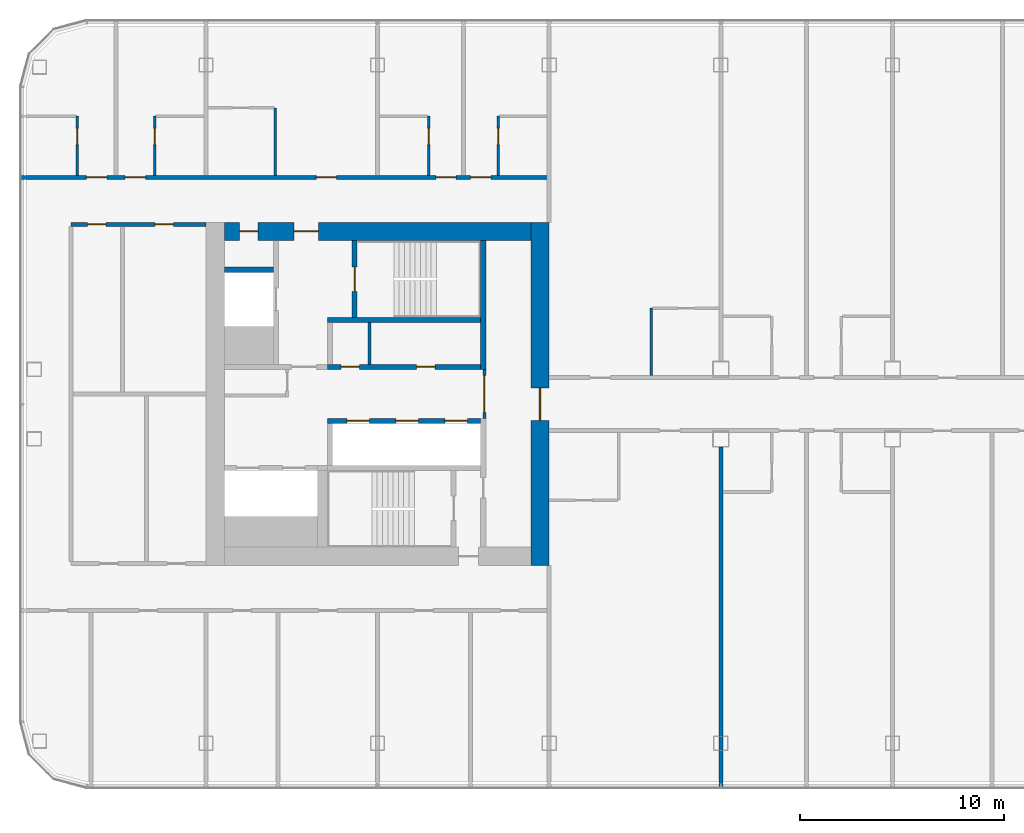
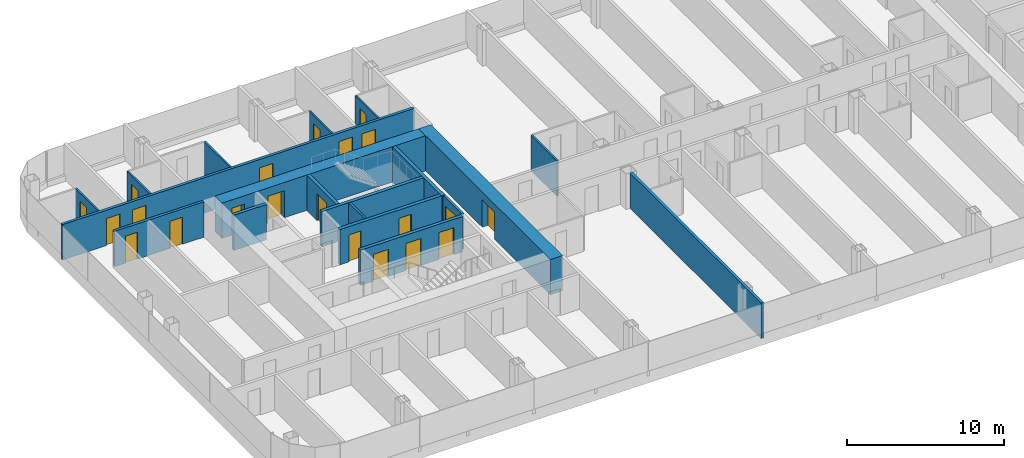
# One storey, part 13 of 26: 21 doors, 19 walls, 21 openings.
"""IFC4 building model written with IfcOpenShell, lengths in metres."""

from ifc_helpers import new_model, si_unit, direction, frame, frame_2d, origin, place, context, subcontext, project, spatial, rectangle, extrude, material, layer, layer_set, type_object, element, fill, save


model = new_model("IFC4")

# Units and contexts
model_context = context("Model", 3, precision=1e-05, world=origin(), true_north=direction((0.0, 1.0)))
body_context = subcontext(model_context, "Body", "Model", "MODEL_VIEW")
ifc_project = project(units=[si_unit("LENGTHUNIT", "METRE"), si_unit("AREAUNIT", "SQUARE_METRE"), si_unit("VOLUMEUNIT", "CUBIC_METRE"), si_unit("PLANEANGLEUNIT", "RADIAN"), si_unit("MASSUNIT", "GRAM", prefix="KILO")], contexts=[model_context])

# Site, building, storey
site_placement = place(None, origin())
site = spatial("IfcSite", under=ifc_project, at=site_placement, CompositionType="ELEMENT")
building_placement = place(site_placement, origin())
building = spatial("IfcBuilding", under=site, at=building_placement, Name="Hakoniwa Tower and Hamabe Station Hall", CompositionType="ELEMENT")
storey_placement = place(building_placement, frame((0.0, 0.0, 169.39990234375)))
storey = spatial("IfcBuildingStorey", under=building, at=storey_placement, Name="L48", CompositionType="ELEMENT", Elevation=169.39990234375)

# Wall, opening, door
ifc_material_1 = material(Name="Gypsum board partition", Category="gypsum")
ifc_layer_1 = layer(ifc_material_1, 0.125)
ifc_layer_set_1 = layer_set([ifc_layer_1], Name="Bathroom Partition 125")
wall_type_1 = type_object("IfcWallType", Name="Bathroom Partition 125", PredefinedType="PARTITIONING", material=ifc_layer_set_1)
wall_1_placement = place(storey_placement, frame((-39.89990234375, 10.699951171875, 0.0), z_axis=(0.0, 0.0, 1.0), x_axis=(0.0, 1.0, 0.0)))
wall_1 = element("IfcWall", 1, at=wall_1_placement, inside=storey, type_object=wall_type_1, Name="GW-L48-037", PredefinedType="PARTITIONING", context=body_context, shape_type="SweptSolid", body=[
    extrude(rectangle(XDim=2.900146484375, YDim=0.125, at=frame_2d((1.4501953125, 0.0))), origin(), (0.0, 0.0, 1.0), 2.75),
])
opening_1_placement = place(wall_1_placement, frame((1.5, 0.0, 0.0)))
opening_1 = element("IfcOpeningElement", 2, at=opening_1_placement, cuts=wall_1, Name="Opening GD-G3C2-49", PredefinedType="OPENING", context=body_context, shape_type="SweptSolid", body=[
    extrude(rectangle(XDim=0.800048828125, YDim=2.10009765625, at=frame_2d((0.39990234375, 1.050048828125))), frame((0.0, 0.072509765625, 0.0), z_axis=(0.0, -1.0, 0.0), x_axis=(1.0, 0.0, 0.0)), (0.0, 0.0, 1.0), 0.14501953125),
])
ifc_material_2 = material(Name="Timber door leaf", Category="wood")
door_type_1 = type_object("IfcDoorType", Name="Bathroom Door 800", OperationType="SINGLE_SWING_LEFT", PredefinedType="DOOR", material=ifc_material_2)
door_1_placement = place(opening_1_placement, origin())
door_1 = element("IfcDoor", 3, at=door_1_placement, inside=storey, type_object=door_type_1, Name="Door GD-G3C2-49", OperationType="SINGLE_SWING_LEFT", OverallHeight=2.10009765625, OverallWidth=0.800048828125, PredefinedType="DOOR", context=body_context, shape_type="SweptSolid", body=[
    extrude(rectangle(XDim=0.800048828125, YDim=2.10009765625, at=frame_2d((0.39990234375, 1.050048828125))), frame((0.0, 0.02490234375, 0.0), z_axis=(0.0, -1.0, 0.0), x_axis=(1.0, 0.0, 0.0)), (0.0, 0.0, 1.0), 0.050048828125),
])
fill(opening_1, door_1)

wall_2_placement = place(storey_placement, frame((-36.10009765625, 10.699951171875, 0.0), z_axis=(0.0, 0.0, 1.0), x_axis=(0.0, 1.0, 0.0)))
wall_2 = element("IfcWall", 4, at=wall_2_placement, inside=storey, type_object=wall_type_1, Name="GW-L48-042", PredefinedType="PARTITIONING", context=body_context, shape_type="SweptSolid", body=[
    extrude(rectangle(XDim=2.900146484375, YDim=0.125, at=frame_2d((1.4501953125, 0.0))), origin(), (0.0, 0.0, 1.0), 2.75),
])
opening_2_placement = place(wall_2_placement, frame((1.5, 0.0, 0.0)))
opening_2 = element("IfcOpeningElement", 5, at=opening_2_placement, cuts=wall_2, Name="Opening GD-G3C2-50", PredefinedType="OPENING", context=body_context, shape_type="SweptSolid", body=[
    extrude(rectangle(XDim=0.800048828125, YDim=2.10009765625, at=frame_2d((0.39990234375, 1.050048828125))), frame((0.0, 0.072509765625, 0.0), z_axis=(0.0, -1.0, 0.0), x_axis=(1.0, 0.0, 0.0)), (0.0, 0.0, 1.0), 0.14501953125),
])
door_2_placement = place(opening_2_placement, origin())
door_2 = element("IfcDoor", 6, at=door_2_placement, inside=storey, type_object=door_type_1, Name="Door GD-G3C2-50", OperationType="SINGLE_SWING_RIGHT", OverallHeight=2.10009765625, OverallWidth=0.800048828125, PredefinedType="DOOR", context=body_context, shape_type="SweptSolid", body=[
    extrude(rectangle(XDim=0.800048828125, YDim=2.10009765625, at=frame_2d((0.39990234375, 1.050048828125))), frame((0.0, 0.02490234375, 0.0), z_axis=(0.0, -1.0, 0.0), x_axis=(1.0, 0.0, 0.0)), (0.0, 0.0, 1.0), 0.050048828125),
])
fill(opening_2, door_2)

# Wall
wall_3_placement = place(storey_placement, frame((-30.199951171875, 10.699951171875, 0.0), z_axis=(0.0, 0.0, 1.0), x_axis=(0.0, 1.0, 0.0)))
element("IfcWall", 7, at=wall_3_placement, inside=storey, type_object=wall_type_1, Name="GW-L48-045", PredefinedType="PARTITIONING", context=body_context, shape_type="SweptSolid", body=[
    extrude(rectangle(XDim=3.300048828125, YDim=0.125, at=frame_2d((1.64990234375, 0.0))), origin(), (0.0, 0.0, 1.0), 2.75),
])

# Wall, opening, door
wall_4_placement = place(storey_placement, frame((-22.699951171875, 10.699951171875, 0.0), z_axis=(0.0, 0.0, 1.0), x_axis=(0.0, 1.0, 0.0)))
wall_4 = element("IfcWall", 8, at=wall_4_placement, inside=storey, type_object=wall_type_1, Name="GW-L48-049", PredefinedType="PARTITIONING", context=body_context, shape_type="SweptSolid", body=[
    extrude(rectangle(XDim=2.900146484375, YDim=0.125, at=frame_2d((1.4501953125, 0.0))), origin(), (0.0, 0.0, 1.0), 2.75),
])
opening_3_placement = place(wall_4_placement, frame((1.5, 0.0, 0.0)))
opening_3 = element("IfcOpeningElement", 9, at=opening_3_placement, cuts=wall_4, Name="Opening GD-G3C2-51", PredefinedType="OPENING", context=body_context, shape_type="SweptSolid", body=[
    extrude(rectangle(XDim=0.800048828125, YDim=2.10009765625, at=frame_2d((0.39990234375, 1.050048828125))), frame((0.0, 0.072509765625, 0.0), z_axis=(0.0, -1.0, 0.0), x_axis=(1.0, 0.0, 0.0)), (0.0, 0.0, 1.0), 0.14501953125),
])
door_3_placement = place(opening_3_placement, origin())
door_3 = element("IfcDoor", 10, at=door_3_placement, inside=storey, type_object=door_type_1, Name="Door GD-G3C2-51", OperationType="SINGLE_SWING_LEFT", OverallHeight=2.10009765625, OverallWidth=0.800048828125, PredefinedType="DOOR", context=body_context, shape_type="SweptSolid", body=[
    extrude(rectangle(XDim=0.800048828125, YDim=2.10009765625, at=frame_2d((0.39990234375, 1.050048828125))), frame((0.0, 0.02490234375, 0.0), z_axis=(0.0, -1.0, 0.0), x_axis=(1.0, 0.0, 0.0)), (0.0, 0.0, 1.0), 0.050048828125),
])
fill(opening_3, door_3)

wall_5_placement = place(storey_placement, frame((-19.300048828125, 10.699951171875, 0.0), z_axis=(0.0, 0.0, 1.0), x_axis=(0.0, 1.0, 0.0)))
wall_5 = element("IfcWall", 11, at=wall_5_placement, inside=storey, type_object=wall_type_1, Name="GW-L48-052", PredefinedType="PARTITIONING", context=body_context, shape_type="SweptSolid", body=[
    extrude(rectangle(XDim=2.900146484375, YDim=0.125, at=frame_2d((1.4501953125, 0.0))), origin(), (0.0, 0.0, 1.0), 2.75),
])
opening_4_placement = place(wall_5_placement, frame((1.5, 0.0, 0.0)))
opening_4 = element("IfcOpeningElement", 12, at=opening_4_placement, cuts=wall_5, Name="Opening GD-G3C2-52", PredefinedType="OPENING", context=body_context, shape_type="SweptSolid", body=[
    extrude(rectangle(XDim=0.800048828125, YDim=2.10009765625, at=frame_2d((0.39990234375, 1.050048828125))), frame((0.0, 0.072509765625, 0.0), z_axis=(0.0, -1.0, 0.0), x_axis=(1.0, 0.0, 0.0)), (0.0, 0.0, 1.0), 0.14501953125),
])
door_4_placement = place(opening_4_placement, origin())
door_4 = element("IfcDoor", 13, at=door_4_placement, inside=storey, type_object=door_type_1, Name="Door GD-G3C2-52", OperationType="SINGLE_SWING_RIGHT", OverallHeight=2.10009765625, OverallWidth=0.800048828125, PredefinedType="DOOR", context=body_context, shape_type="SweptSolid", body=[
    extrude(rectangle(XDim=0.800048828125, YDim=2.10009765625, at=frame_2d((0.39990234375, 1.050048828125))), frame((0.0, 0.02490234375, 0.0), z_axis=(0.0, -1.0, 0.0), x_axis=(1.0, 0.0, 0.0)), (0.0, 0.0, 1.0), 0.050048828125),
])
fill(opening_4, door_4)

# Wall
wall_6_placement = place(storey_placement, frame((-11.800048828125, 0.89990234375, 0.0), z_axis=(0.0, 0.0, 1.0), x_axis=(0.0, 1.0, 0.0)))
element("IfcWall", 14, at=wall_6_placement, inside=storey, type_object=wall_type_1, Name="GW-L48-056", PredefinedType="PARTITIONING", context=body_context, shape_type="SweptSolid", body=[
    extrude(rectangle(XDim=3.300048828125, YDim=0.125, at=frame_2d((1.64990234375, 0.0))), origin(), (0.0, 0.0, 1.0), 2.75),
])

# Wall, opening, door
ifc_material_3 = material(Name="Gypsum board partition")
ifc_layer_2 = layer(ifc_material_3, 0.14990234375)
ifc_layer_set_2 = layer_set([ifc_layer_2], Name="CORE PARTITION 150 EI 60")
wall_type_2 = type_object("IfcWallType", Name="CORE PARTITION 150 EI 60", PredefinedType="PARTITIONING", material=ifc_layer_set_2)
wall_7_placement = place(storey_placement, frame((-19.97509765625, -1.199951171875, 0.0), z_axis=(0.0, 0.0, 1.0), x_axis=(0.0, 1.0, 0.0)))
wall_7 = element("IfcWall", 15, at=wall_7_placement, inside=storey, type_object=wall_type_2, Name="Core partition PL0 west", PredefinedType="PARTITIONING", context=body_context, shape_type="SweptSolid", body=[
    extrude(rectangle(XDim=2.39990234375, YDim=0.14990234375, at=frame_2d((1.199951171875, 0.0))), origin(), (0.0, 0.0, 1.0), 2.75),
])
opening_5_placement = place(wall_7_placement, frame((0.300048828125, 0.0, 0.0)))
opening_5 = element("IfcOpeningElement", 16, at=opening_5_placement, cuts=wall_7, Name="Opening CD-W-LP0-18", PredefinedType="OPENING", context=body_context, shape_type="SweptSolid", body=[
    extrude(rectangle(XDim=1.800048828125, YDim=2.10009765625, at=frame_2d((0.89990234375, 1.050048828125))), frame((0.0, 0.0849609375, 0.0), z_axis=(0.0, -1.0, 0.0), x_axis=(1.0, 0.0, 0.0)), (0.0, 0.0, 1.0), 0.169921875),
])
ifc_material_4 = material(Name="Steel fire door", Category="steel")
door_type_2 = type_object("IfcDoorType", Name="CORE DOOR 1800 FD60", OperationType="DOUBLE_DOOR_SINGLE_SWING", PredefinedType="DOOR", material=ifc_material_4)
door_5_placement = place(opening_5_placement, origin())
door_5 = element("IfcDoor", 17, at=door_5_placement, inside=storey, type_object=door_type_2, Name="Lift lobby partition door", OperationType="DOUBLE_DOOR_SINGLE_SWING", OverallHeight=2.10009765625, OverallWidth=1.800048828125, PredefinedType="DOOR", context=body_context, shape_type="SweptSolid", body=[
    extrude(rectangle(XDim=1.800048828125, YDim=2.10009765625, at=frame_2d((0.89990234375, 1.050048828125))), frame((0.0, 0.02490234375, 0.0), z_axis=(0.0, -1.0, 0.0), x_axis=(1.0, 0.0, 0.0)), (0.0, 0.0, 1.0), 0.050048828125),
])
fill(opening_5, door_5)

# Wall
wall_8_placement = place(storey_placement, frame((-25.60009765625, 1.449951171875, 0.0), z_axis=(0.0, 0.0, 1.0), x_axis=(0.0, 1.0, 0.0)))
element("IfcWall", 18, at=wall_8_placement, inside=storey, type_object=wall_type_2, Name="Core partition PFLR0 west", PredefinedType="PARTITIONING", context=body_context, shape_type="SweptSolid", body=[
    extrude(rectangle(XDim=2.050048828125, YDim=0.14990234375, at=frame_2d((1.02490234375, 0.0))), origin(), (0.0, 0.0, 1.0), 2.75),
])

# Wall, opening, door
ifc_material_5 = material(Name="Concrete C66", Category="concrete")
ifc_layer_3 = layer(ifc_material_5, 0.89990234375)
ifc_layer_set_3 = layer_set([ifc_layer_3], Name="CORE WALL 900 C66")
wall_type_3 = type_object("IfcWallType", Name="CORE WALL 900 C66", PredefinedType="SHEAR", material=ifc_layer_set_3)
wall_9_placement = place(storey_placement, frame((-17.25, -8.39990234375, 0.0), z_axis=(0.0, 0.0, 1.0), x_axis=(0.0, 1.0, 0.0)))
wall_9 = element("IfcWall", 19, at=wall_9_placement, inside=storey, type_object=wall_type_3, Name="Core wall INNER west", PredefinedType="SHEAR", context=body_context, shape_type="SweptSolid", body=[
    extrude(rectangle(XDim=16.7998046875, YDim=0.89990234375, at=frame_2d((8.39990234375, 0.0))), origin(), (0.0, 0.0, 1.0), 2.75),
])
opening_6_placement = place(wall_9_placement, frame((7.10009765625, 0.0, 0.0)))
opening_6 = element("IfcOpeningElement", 20, at=opening_6_placement, cuts=wall_9, Name="Opening CD-W-IN1-16", PredefinedType="OPENING", context=body_context, shape_type="SweptSolid", body=[
    extrude(rectangle(XDim=1.60009765625, YDim=2.10009765625, at=frame_2d((0.800048828125, 1.050048828125))), frame((0.0, 0.4599609375, 0.0), z_axis=(0.0, -1.0, 0.0), x_axis=(1.0, 0.0, 0.0)), (0.0, 0.0, 1.0), 0.919921875),
])
ifc_material_6 = material(Name="Steel fire door", Category="steel")
door_type_3 = type_object("IfcDoorType", Name="CORE DOOR 1600 FD60", OperationType="DOUBLE_DOOR_SINGLE_SWING", PredefinedType="DOOR", material=ifc_material_6)
door_6_placement = place(opening_6_placement, origin())
door_6 = element("IfcDoor", 21, at=door_6_placement, inside=storey, type_object=door_type_3, Name="Lift lobby door", OperationType="DOUBLE_DOOR_SINGLE_SWING", OverallHeight=2.10009765625, OverallWidth=1.60009765625, PredefinedType="DOOR", context=body_context, shape_type="SweptSolid", body=[
    extrude(rectangle(XDim=1.60009765625, YDim=2.10009765625, at=frame_2d((0.800048828125, 1.050048828125))), frame((0.0, 0.02490234375, 0.0), z_axis=(0.0, -1.0, 0.0), x_axis=(1.0, 0.0, 0.0)), (0.0, 0.0, 1.0), 0.050048828125),
])
fill(opening_6, door_6)

# Wall, openings, doors
wall_10_placement = place(storey_placement, frame((-32.699951171875, 7.949951171875, 0.0), z_axis=(0.0, 0.0, 1.0), x_axis=(1.0, 0.0, 0.0)))
wall_10 = element("IfcWall", 22, at=wall_10_placement, inside=storey, type_object=wall_type_3, Name="Core wall NORTH west", PredefinedType="SHEAR", context=body_context, shape_type="SweptSolid", body=[
    extrude(rectangle(XDim=15.0, YDim=0.89990234375, at=frame_2d((7.5, 0.0))), origin(), (0.0, 0.0, 1.0), 2.75),
])
opening_7_placement = place(wall_10_placement, frame((3.39990234375, 0.0, 0.0)))
opening_7 = element("IfcOpeningElement", 23, at=opening_7_placement, cuts=wall_10, Name="Opening CD-W-FN1-12", PredefinedType="OPENING", context=body_context, shape_type="SweptSolid", body=[
    extrude(rectangle(XDim=1.199951171875, YDim=2.10009765625, at=frame_2d((0.60009765625, 1.050048828125))), frame((0.0, 0.4599609375, 0.0), z_axis=(0.0, -1.0, 0.0), x_axis=(1.0, 0.0, 0.0)), (0.0, 0.0, 1.0), 0.919921875),
])
opening_8_placement = place(wall_10_placement, frame((0.75, 0.0, 0.0)))
opening_8 = element("IfcOpeningElement", 24, at=opening_8_placement, cuts=wall_10, Name="Opening CD-W-FN2-9", PredefinedType="OPENING", context=body_context, shape_type="SweptSolid", body=[
    extrude(rectangle(XDim=0.89990234375, YDim=2.10009765625, at=frame_2d((0.449951171875, 1.050048828125))), frame((0.0, 0.4599609375, 0.0), z_axis=(0.0, -1.0, 0.0), x_axis=(1.0, 0.0, 0.0)), (0.0, 0.0, 1.0), 0.919921875),
])
ifc_material_7 = material(Name="Steel fire door", Category="steel")
door_type_4 = type_object("IfcDoorType", Name="CORE DOOR 1200 FD60", OperationType="DOUBLE_DOOR_SINGLE_SWING", PredefinedType="DOOR", material=ifc_material_7)
door_7_placement = place(opening_7_placement, origin())
door_7 = element("IfcDoor", 25, at=door_7_placement, inside=storey, type_object=door_type_4, Name="Stair vestibule door to the fire-fighting lobby", OperationType="DOUBLE_DOOR_SINGLE_SWING", OverallHeight=2.10009765625, OverallWidth=1.199951171875, PredefinedType="DOOR", context=body_context, shape_type="SweptSolid", body=[
    extrude(rectangle(XDim=1.199951171875, YDim=2.10009765625, at=frame_2d((0.60009765625, 1.050048828125))), frame((0.0, 0.02490234375, 0.0), z_axis=(0.0, -1.0, 0.0), x_axis=(1.0, 0.0, 0.0)), (0.0, 0.0, 1.0), 0.050048828125),
])
fill(opening_7, door_7)
ifc_material_8 = material(Name="Steel fire door", Category="steel")
door_type_5 = type_object("IfcDoorType", Name="CORE DOOR 900 FD30", OperationType="NOTDEFINED", PredefinedType="DOOR", material=ifc_material_8)
door_8_placement = place(opening_8_placement, origin())
door_8 = element("IfcDoor", 26, at=door_8_placement, inside=storey, type_object=door_type_5, Name="Riser access door", OperationType="SINGLE_SWING_LEFT", OverallHeight=2.10009765625, OverallWidth=0.89990234375, PredefinedType="DOOR", context=body_context, shape_type="SweptSolid", body=[
    extrude(rectangle(XDim=0.89990234375, YDim=2.10009765625, at=frame_2d((0.449951171875, 1.050048828125))), frame((0.0, 0.02490234375, 0.0), z_axis=(0.0, -1.0, 0.0), x_axis=(1.0, 0.0, 0.0)), (0.0, 0.0, 1.0), 0.050048828125),
])
fill(opening_8, door_8)

# Wall
ifc_material_9 = material(Name="Concrete C66", Category="concrete")
ifc_layer_4 = layer(ifc_material_9, 0.25)
ifc_layer_set_4 = layer_set([ifc_layer_4], Name="CORE WEB WALL 250 C66")
wall_type_4 = type_object("IfcWallType", Name="CORE WEB WALL 250 C66", PredefinedType="SHEAR", material=ifc_layer_set_4)
wall_11_placement = place(storey_placement, frame((-20.02490234375, 1.199951171875, 0.0), z_axis=(0.0, 0.0, 1.0), x_axis=(0.0, 1.0, 0.0)))
element("IfcWall", 27, at=wall_11_placement, inside=storey, type_object=wall_type_4, Name="Core wall W1N west", PredefinedType="SHEAR", context=body_context, shape_type="SweptSolid", body=[
    extrude(rectangle(XDim=6.300048828125, YDim=0.25, at=frame_2d((3.14990234375, 0.0))), origin(), (0.0, 0.0, 1.0), 2.75),
])

# Wall, openings, doors
wall_12_placement = place(storey_placement, frame((-27.64990234375, 1.324951171875, 0.0), z_axis=(0.0, 0.0, 1.0), x_axis=(1.0, 0.0, 0.0)))
wall_12 = element("IfcWall", 28, at=wall_12_placement, inside=storey, type_object=wall_type_4, Name="Core wall NF west", PredefinedType="SHEAR", context=body_context, shape_type="SweptSolid", body=[
    extrude(rectangle(XDim=7.5, YDim=0.25, at=frame_2d((3.75, 0.0))), origin(), (0.0, 0.0, 1.0), 2.75),
])
opening_9_placement = place(wall_12_placement, frame((4.362548828125, 0.0, 0.0)))
opening_9 = element("IfcOpeningElement", 29, at=opening_9_placement, cuts=wall_12, Name="Opening CD-W-FRLR0-9", PredefinedType="OPENING", context=body_context, shape_type="SweptSolid", body=[
    extrude(rectangle(XDim=0.89990234375, YDim=2.10009765625, at=frame_2d((0.449951171875, 1.050048828125))), frame((0.0, 0.135009765625, 0.0), z_axis=(0.0, -1.0, 0.0), x_axis=(1.0, 0.0, 0.0)), (0.0, 0.0, 1.0), 0.27001953125),
])
opening_10_placement = place(wall_12_placement, frame((0.66259765625, 0.0, 0.0)))
opening_10 = element("IfcOpeningElement", 30, at=opening_10_placement, cuts=wall_12, Name="Opening CD-W-FRLR1-9", PredefinedType="OPENING", context=body_context, shape_type="SweptSolid", body=[
    extrude(rectangle(XDim=0.89990234375, YDim=2.10009765625, at=frame_2d((0.449951171875, 1.050048828125))), frame((0.0, 0.135009765625, 0.0), z_axis=(0.0, -1.0, 0.0), x_axis=(1.0, 0.0, 0.0)), (0.0, 0.0, 1.0), 0.27001953125),
])
door_9_placement = place(opening_9_placement, origin())
door_9 = element("IfcDoor", 31, at=door_9_placement, inside=storey, type_object=door_type_5, Name="Store room door", OperationType="SINGLE_SWING_RIGHT", OverallHeight=2.10009765625, OverallWidth=0.89990234375, PredefinedType="DOOR", context=body_context, shape_type="SweptSolid", body=[
    extrude(rectangle(XDim=0.89990234375, YDim=2.10009765625, at=frame_2d((0.449951171875, 1.050048828125))), frame((0.0, 0.02490234375, 0.0), z_axis=(0.0, -1.0, 0.0), x_axis=(1.0, 0.0, 0.0)), (0.0, 0.0, 1.0), 0.050048828125),
])
fill(opening_9, door_9)
door_10_placement = place(opening_10_placement, origin())
door_10 = element("IfcDoor", 32, at=door_10_placement, inside=storey, type_object=door_type_5, Name="Store room door", OperationType="SINGLE_SWING_LEFT", OverallHeight=2.10009765625, OverallWidth=0.89990234375, PredefinedType="DOOR", context=body_context, shape_type="SweptSolid", body=[
    extrude(rectangle(XDim=0.89990234375, YDim=2.10009765625, at=frame_2d((0.449951171875, 1.050048828125))), frame((0.0, 0.02490234375, 0.0), z_axis=(0.0, -1.0, 0.0), x_axis=(1.0, 0.0, 0.0)), (0.0, 0.0, 1.0), 0.050048828125),
])
fill(opening_10, door_10)

# Wall
wall_13_placement = place(storey_placement, frame((-27.64990234375, 3.625, 0.0), z_axis=(0.0, 0.0, 1.0), x_axis=(1.0, 0.0, 0.0)))
element("IfcWall", 33, at=wall_13_placement, inside=storey, type_object=wall_type_4, Name="Core wall NR west", PredefinedType="SHEAR", context=body_context, shape_type="SweptSolid", body=[
    extrude(rectangle(XDim=7.5, YDim=0.25, at=frame_2d((3.75, 0.0))), origin(), (0.0, 0.0, 1.0), 2.75),
])

# Wall, opening, door
wall_14_placement = place(storey_placement, frame((-26.324951171875, 3.75, 0.0), z_axis=(0.0, 0.0, 1.0), x_axis=(0.0, 1.0, 0.0)))
wall_14 = element("IfcWall", 34, at=wall_14_placement, inside=storey, type_object=wall_type_4, Name="Core wall NSE west", PredefinedType="SHEAR", context=body_context, shape_type="SweptSolid", body=[
    extrude(rectangle(XDim=3.75, YDim=0.25, at=frame_2d((1.875, 0.0))), origin(), (0.0, 0.0, 1.0), 2.75),
])
opening_11_placement = place(wall_14_placement, frame((1.25, 0.0, 0.0)))
opening_11 = element("IfcOpeningElement", 35, at=opening_11_placement, cuts=wall_14, Name="Opening CD-W-SN-12", PredefinedType="OPENING", context=body_context, shape_type="SweptSolid", body=[
    extrude(rectangle(XDim=1.199951171875, YDim=2.10009765625, at=frame_2d((0.60009765625, 1.050048828125))), frame((0.0, 0.135009765625, 0.0), z_axis=(0.0, -1.0, 0.0), x_axis=(1.0, 0.0, 0.0)), (0.0, 0.0, 1.0), 0.27001953125),
])
door_11_placement = place(opening_11_placement, origin())
door_11 = element("IfcDoor", 36, at=door_11_placement, inside=storey, type_object=door_type_4, Name="Escape stair door", OperationType="DOUBLE_DOOR_SINGLE_SWING", OverallHeight=2.10009765625, OverallWidth=1.199951171875, PredefinedType="DOOR", context=body_context, shape_type="SweptSolid", body=[
    extrude(rectangle(XDim=1.199951171875, YDim=2.10009765625, at=frame_2d((0.60009765625, 1.050048828125))), frame((0.0, 0.02490234375, 0.0), z_axis=(0.0, -1.0, 0.0), x_axis=(1.0, 0.0, 0.0)), (0.0, 0.0, 1.0), 0.050048828125),
])
fill(opening_11, door_11)

# Wall
wall_15_placement = place(storey_placement, frame((-32.699951171875, 6.074951171875, 0.0), z_axis=(0.0, 0.0, 1.0), x_axis=(1.0, 0.0, 0.0)))
element("IfcWall", 37, at=wall_15_placement, inside=storey, type_object=wall_type_4, Name="Core wall C2 west", PredefinedType="SHEAR", context=body_context, shape_type="SweptSolid", body=[
    extrude(rectangle(XDim=2.39990234375, YDim=0.25, at=frame_2d((1.199951171875, 0.0))), origin(), (0.0, 0.0, 1.0), 2.75),
])

# Wall, openings, doors
wall_16_placement = place(storey_placement, frame((-27.64990234375, -1.324951171875, 0.0), z_axis=(0.0, 0.0, 1.0), x_axis=(1.0, 0.0, 0.0)))
wall_16 = element("IfcWall", 38, at=wall_16_placement, inside=storey, type_object=wall_type_4, Name="Core wall SF west", PredefinedType="SHEAR", context=body_context, shape_type="SweptSolid", body=[
    extrude(rectangle(XDim=7.5, YDim=0.25, at=frame_2d((3.75, 0.0))), origin(), (0.0, 0.0, 1.0), 2.75),
])
opening_12_placement = place(wall_16_placement, frame((5.75, 0.0, 0.0)))
opening_12 = element("IfcOpeningElement", 39, at=opening_12_placement, cuts=wall_16, Name="Opening LD-HR1", PredefinedType="OPENING", context=body_context, shape_type="SweptSolid", body=[
    extrude(rectangle(XDim=1.10009765625, YDim=2.10009765625, at=frame_2d((0.550048828125, 1.050048828125))), frame((0.0, 0.135009765625, 0.0), z_axis=(0.0, -1.0, 0.0), x_axis=(1.0, 0.0, 0.0)), (0.0, 0.0, 1.0), 0.27001953125),
])
opening_13_placement = place(wall_16_placement, frame((3.35009765625, 0.0, 0.0)))
opening_13 = element("IfcOpeningElement", 40, at=opening_13_placement, cuts=wall_16, Name="Opening LD-HR2", PredefinedType="OPENING", context=body_context, shape_type="SweptSolid", body=[
    extrude(rectangle(XDim=1.10009765625, YDim=2.10009765625, at=frame_2d((0.550048828125, 1.050048828125))), frame((0.0, 0.135009765625, 0.0), z_axis=(0.0, -1.0, 0.0), x_axis=(1.0, 0.0, 0.0)), (0.0, 0.0, 1.0), 0.27001953125),
])
opening_14_placement = place(wall_16_placement, frame((0.949951171875, 0.0, 0.0)))
opening_14 = element("IfcOpeningElement", 41, at=opening_14_placement, cuts=wall_16, Name="Opening LD-HR3", PredefinedType="OPENING", context=body_context, shape_type="SweptSolid", body=[
    extrude(rectangle(XDim=1.10009765625, YDim=2.10009765625, at=frame_2d((0.550048828125, 1.050048828125))), frame((0.0, 0.135009765625, 0.0), z_axis=(0.0, -1.0, 0.0), x_axis=(1.0, 0.0, 0.0)), (0.0, 0.0, 1.0), 0.27001953125),
])
ifc_material_10 = material(Name="Stainless steel SUS304", Category="steel")
door_type_6 = type_object("IfcDoorType", Name="LIFT LANDING DOOR 1100 FD60", OperationType="DOUBLE_DOOR_SLIDING", PredefinedType="DOOR", material=ifc_material_10)
door_12_placement = place(opening_12_placement, origin())
door_12 = element("IfcDoor", 42, at=door_12_placement, inside=storey, type_object=door_type_6, Name="Lift landing door HR1 L48", OperationType="DOUBLE_DOOR_SLIDING", OverallHeight=2.10009765625, OverallWidth=1.10009765625, PredefinedType="DOOR", context=body_context, shape_type="SweptSolid", body=[
    extrude(rectangle(XDim=1.10009765625, YDim=2.10009765625, at=frame_2d((0.550048828125, 1.050048828125))), frame((0.0, 0.02490234375, 0.0), z_axis=(0.0, -1.0, 0.0), x_axis=(1.0, 0.0, 0.0)), (0.0, 0.0, 1.0), 0.050048828125),
])
fill(opening_12, door_12)
door_13_placement = place(opening_13_placement, origin())
door_13 = element("IfcDoor", 43, at=door_13_placement, inside=storey, type_object=door_type_6, Name="Lift landing door HR2 L48", OperationType="DOUBLE_DOOR_SLIDING", OverallHeight=2.10009765625, OverallWidth=1.10009765625, PredefinedType="DOOR", context=body_context, shape_type="SweptSolid", body=[
    extrude(rectangle(XDim=1.10009765625, YDim=2.10009765625, at=frame_2d((0.550048828125, 1.050048828125))), frame((0.0, 0.02490234375, 0.0), z_axis=(0.0, -1.0, 0.0), x_axis=(1.0, 0.0, 0.0)), (0.0, 0.0, 1.0), 0.050048828125),
])
fill(opening_13, door_13)
door_14_placement = place(opening_14_placement, origin())
door_14 = element("IfcDoor", 44, at=door_14_placement, inside=storey, type_object=door_type_6, Name="Lift landing door HR3 L48", OperationType="DOUBLE_DOOR_SLIDING", OverallHeight=2.10009765625, OverallWidth=1.10009765625, PredefinedType="DOOR", context=body_context, shape_type="SweptSolid", body=[
    extrude(rectangle(XDim=1.10009765625, YDim=2.10009765625, at=frame_2d((0.550048828125, 1.050048828125))), frame((0.0, 0.02490234375, 0.0), z_axis=(0.0, -1.0, 0.0), x_axis=(1.0, 0.0, 0.0)), (0.0, 0.0, 1.0), 0.050048828125),
])
fill(opening_14, door_14)

ifc_material_11 = material(Name="Fire-rated gypsum board partition", Category="gypsum")
ifc_layer_5 = layer(ifc_material_11, 0.199951171875)
ifc_layer_set_5 = layer_set([ifc_layer_5], Name="Corridor Wall 200")
wall_type_5 = type_object("IfcWallType", Name="Corridor Wall 200", PredefinedType="PARTITIONING", material=ifc_layer_set_5)
wall_17_placement = place(storey_placement, frame((-40.199951171875, 8.300048828125, 0.0), z_axis=(0.0, 0.0, 1.0), x_axis=(1.0, 0.0, 0.0)))
wall_17 = element("IfcWall", 45, at=wall_17_placement, inside=storey, type_object=wall_type_5, Name="GW-L48-023", PredefinedType="PARTITIONING", context=body_context, shape_type="SweptSolid", body=[
    extrude(rectangle(XDim=6.599853515625, YDim=0.199951171875, at=frame_2d((3.2998046875, 0.0))), origin(), (0.0, 0.0, 1.0), 2.75),
])
opening_15_placement = place(wall_17_placement, frame((0.804931640625, 0.0, 0.0)))
opening_15 = element("IfcOpeningElement", 46, at=opening_15_placement, cuts=wall_17, Name="Opening GD-G3C2-33", PredefinedType="OPENING", context=body_context, shape_type="SweptSolid", body=[
    extrude(rectangle(XDim=0.89990234375, YDim=2.10009765625, at=frame_2d((0.449951171875, 1.050048828125))), frame((0.0, 0.10986328125, 0.0), z_axis=(0.0, -1.0, 0.0), x_axis=(1.0, 0.0, 0.0)), (0.0, 0.0, 1.0), 0.219970703125),
])
opening_16_placement = place(wall_17_placement, frame((4.10498046875, 0.0, 0.0)))
opening_16 = element("IfcOpeningElement", 47, at=opening_16_placement, cuts=wall_17, Name="Opening GD-G3C2-34", PredefinedType="OPENING", context=body_context, shape_type="SweptSolid", body=[
    extrude(rectangle(XDim=0.89990234375, YDim=2.10009765625, at=frame_2d((0.449951171875, 1.050048828125))), frame((0.0, 0.10986328125, 0.0), z_axis=(0.0, -1.0, 0.0), x_axis=(1.0, 0.0, 0.0)), (0.0, 0.0, 1.0), 0.219970703125),
])
ifc_material_12 = material(Name="Timber door leaf", Category="wood")
door_type_7 = type_object("IfcDoorType", Name="Service Door 900", OperationType="SINGLE_SWING_LEFT", PredefinedType="DOOR", material=ifc_material_12)
door_15_placement = place(opening_15_placement, origin())
door_15 = element("IfcDoor", 48, at=door_15_placement, inside=storey, type_object=door_type_7, Name="Door GD-G3C2-33", OperationType="SINGLE_SWING_LEFT", OverallHeight=2.10009765625, OverallWidth=0.89990234375, PredefinedType="DOOR", context=body_context, shape_type="SweptSolid", body=[
    extrude(rectangle(XDim=0.89990234375, YDim=2.10009765625, at=frame_2d((0.449951171875, 1.050048828125))), frame((0.0, 0.02490234375, 0.0), z_axis=(0.0, -1.0, 0.0), x_axis=(1.0, 0.0, 0.0)), (0.0, 0.0, 1.0), 0.050048828125),
])
fill(opening_15, door_15)
door_16_placement = place(opening_16_placement, origin())
door_16 = element("IfcDoor", 49, at=door_16_placement, inside=storey, type_object=door_type_7, Name="Door GD-G3C2-34", OperationType="SINGLE_SWING_LEFT", OverallHeight=2.10009765625, OverallWidth=0.89990234375, PredefinedType="DOOR", context=body_context, shape_type="SweptSolid", body=[
    extrude(rectangle(XDim=0.89990234375, YDim=2.10009765625, at=frame_2d((0.449951171875, 1.050048828125))), frame((0.0, 0.02490234375, 0.0), z_axis=(0.0, -1.0, 0.0), x_axis=(1.0, 0.0, 0.0)), (0.0, 0.0, 1.0), 0.050048828125),
])
fill(opening_16, door_16)

wall_18_placement = place(storey_placement, frame((-42.699951171875, 10.60009765625, 0.0), z_axis=(0.0, 0.0, 1.0), x_axis=(1.0, 0.0, 0.0)))
wall_18 = element("IfcWall", 50, at=wall_18_placement, inside=storey, type_object=wall_type_5, Name="GW-L48-025", PredefinedType="PARTITIONING", context=body_context, shape_type="SweptSolid", body=[
    extrude(rectangle(XDim=25.89990234375, YDim=0.199951171875, at=frame_2d((12.949951171875, 0.0))), origin(), (0.0, 0.0, 1.0), 2.75),
])
opening_17_placement = place(wall_18_placement, frame((3.25, 0.0, 0.0)))
opening_17 = element("IfcOpeningElement", 51, at=opening_17_placement, cuts=wall_18, Name="Opening GD-G3C2-37", PredefinedType="OPENING", context=body_context, shape_type="SweptSolid", body=[
    extrude(rectangle(XDim=1.0, YDim=2.10009765625, at=frame_2d((0.5, 1.050048828125))), frame((0.0, 0.10986328125, 0.0), z_axis=(0.0, -1.0, 0.0), x_axis=(1.0, 0.0, 0.0)), (0.0, 0.0, 1.0), 0.219970703125),
])
opening_18_placement = place(wall_18_placement, frame((5.14990234375, 0.0, 0.0)))
opening_18 = element("IfcOpeningElement", 52, at=opening_18_placement, cuts=wall_18, Name="Opening GD-G3C2-38", PredefinedType="OPENING", context=body_context, shape_type="SweptSolid", body=[
    extrude(rectangle(XDim=1.0, YDim=2.10009765625, at=frame_2d((0.5, 1.050048828125))), frame((0.0, 0.10986328125, 0.0), z_axis=(0.0, -1.0, 0.0), x_axis=(1.0, 0.0, 0.0)), (0.0, 0.0, 1.0), 0.219970703125),
])
opening_19_placement = place(wall_18_placement, frame((14.5, 0.0, 0.0)))
opening_19 = element("IfcOpeningElement", 53, at=opening_19_placement, cuts=wall_18, Name="Opening GD-G3C2-39", PredefinedType="OPENING", context=body_context, shape_type="SweptSolid", body=[
    extrude(rectangle(XDim=1.0, YDim=2.10009765625, at=frame_2d((0.5, 1.050048828125))), frame((0.0, 0.10986328125, 0.0), z_axis=(0.0, -1.0, 0.0), x_axis=(1.0, 0.0, 0.0)), (0.0, 0.0, 1.0), 0.219970703125),
])
opening_20_placement = place(wall_18_placement, frame((20.35009765625, 0.0, 0.0)))
opening_20 = element("IfcOpeningElement", 54, at=opening_20_placement, cuts=wall_18, Name="Opening GD-G3C2-40", PredefinedType="OPENING", context=body_context, shape_type="SweptSolid", body=[
    extrude(rectangle(XDim=1.0, YDim=2.10009765625, at=frame_2d((0.5, 1.050048828125))), frame((0.0, 0.10986328125, 0.0), z_axis=(0.0, -1.0, 0.0), x_axis=(1.0, 0.0, 0.0)), (0.0, 0.0, 1.0), 0.219970703125),
])
opening_21_placement = place(wall_18_placement, frame((22.050048828125, 0.0, 0.0)))
opening_21 = element("IfcOpeningElement", 55, at=opening_21_placement, cuts=wall_18, Name="Opening GD-G3C2-41", PredefinedType="OPENING", context=body_context, shape_type="SweptSolid", body=[
    extrude(rectangle(XDim=1.0, YDim=2.10009765625, at=frame_2d((0.5, 1.050048828125))), frame((0.0, 0.10986328125, 0.0), z_axis=(0.0, -1.0, 0.0), x_axis=(1.0, 0.0, 0.0)), (0.0, 0.0, 1.0), 0.219970703125),
])
ifc_material_13 = material(Name="Timber door leaf", Category="wood")
door_type_8 = type_object("IfcDoorType", Name="Guest Entrance Door 1000", OperationType="SINGLE_SWING_LEFT", PredefinedType="DOOR", material=ifc_material_13)
door_17_placement = place(opening_17_placement, origin())
door_17 = element("IfcDoor", 56, at=door_17_placement, inside=storey, type_object=door_type_8, Name="Door GD-G3C2-37", OperationType="SINGLE_SWING_RIGHT", OverallHeight=2.10009765625, OverallWidth=1.0, PredefinedType="DOOR", context=body_context, shape_type="SweptSolid", body=[
    extrude(rectangle(XDim=1.0, YDim=2.10009765625, at=frame_2d((0.5, 1.050048828125))), frame((0.0, 0.02490234375, 0.0), z_axis=(0.0, -1.0, 0.0), x_axis=(1.0, 0.0, 0.0)), (0.0, 0.0, 1.0), 0.050048828125),
])
fill(opening_17, door_17)
door_18_placement = place(opening_18_placement, origin())
door_18 = element("IfcDoor", 57, at=door_18_placement, inside=storey, type_object=door_type_8, Name="Door GD-G3C2-38", OperationType="SINGLE_SWING_LEFT", OverallHeight=2.10009765625, OverallWidth=1.0, PredefinedType="DOOR", context=body_context, shape_type="SweptSolid", body=[
    extrude(rectangle(XDim=1.0, YDim=2.10009765625, at=frame_2d((0.5, 1.050048828125))), frame((0.0, 0.02490234375, 0.0), z_axis=(0.0, -1.0, 0.0), x_axis=(1.0, 0.0, 0.0)), (0.0, 0.0, 1.0), 0.050048828125),
])
fill(opening_18, door_18)
door_19_placement = place(opening_19_placement, origin())
door_19 = element("IfcDoor", 58, at=door_19_placement, inside=storey, type_object=door_type_8, Name="Door GD-G3C2-39", OperationType="SINGLE_SWING_RIGHT", OverallHeight=2.10009765625, OverallWidth=1.0, PredefinedType="DOOR", context=body_context, shape_type="SweptSolid", body=[
    extrude(rectangle(XDim=1.0, YDim=2.10009765625, at=frame_2d((0.5, 1.050048828125))), frame((0.0, 0.02490234375, 0.0), z_axis=(0.0, -1.0, 0.0), x_axis=(1.0, 0.0, 0.0)), (0.0, 0.0, 1.0), 0.050048828125),
])
fill(opening_19, door_19)
door_20_placement = place(opening_20_placement, origin())
door_20 = element("IfcDoor", 59, at=door_20_placement, inside=storey, type_object=door_type_8, Name="Door GD-G3C2-40", OperationType="SINGLE_SWING_RIGHT", OverallHeight=2.10009765625, OverallWidth=1.0, PredefinedType="DOOR", context=body_context, shape_type="SweptSolid", body=[
    extrude(rectangle(XDim=1.0, YDim=2.10009765625, at=frame_2d((0.5, 1.050048828125))), frame((0.0, 0.02490234375, 0.0), z_axis=(0.0, -1.0, 0.0), x_axis=(1.0, 0.0, 0.0)), (0.0, 0.0, 1.0), 0.050048828125),
])
fill(opening_20, door_20)
door_21_placement = place(opening_21_placement, origin())
door_21 = element("IfcDoor", 60, at=door_21_placement, inside=storey, type_object=door_type_8, Name="Door GD-G3C2-41", OperationType="SINGLE_SWING_LEFT", OverallHeight=2.10009765625, OverallWidth=1.0, PredefinedType="DOOR", context=body_context, shape_type="SweptSolid", body=[
    extrude(rectangle(XDim=1.0, YDim=2.10009765625, at=frame_2d((0.5, 1.050048828125))), frame((0.0, 0.02490234375, 0.0), z_axis=(0.0, -1.0, 0.0), x_axis=(1.0, 0.0, 0.0)), (0.0, 0.0, 1.0), 0.050048828125),
])
fill(opening_21, door_21)

# Wall
ifc_material_14 = material(Name="Fire-rated gypsum board partition", Category="gypsum")
ifc_layer_6 = layer(ifc_material_14, 0.199951171875)
ifc_layer_set_6 = layer_set([ifc_layer_6], Name="Party Wall 200")
wall_type_6 = type_object("IfcWallType", Name="Party Wall 200", PredefinedType="PARTITIONING", material=ifc_layer_set_6)
wall_19_placement = place(storey_placement, frame((-8.39990234375, -19.300048828125, 0.0), z_axis=(0.0, 0.0, 1.0), x_axis=(0.0, 1.0, 0.0)))
element("IfcWall", 61, at=wall_19_placement, inside=storey, type_object=wall_type_6, Name="GW-L48-057", PredefinedType="PARTITIONING", context=body_context, shape_type="SweptSolid", body=[
    extrude(rectangle(XDim=16.7099609375, YDim=0.199951171875, at=frame_2d((8.35498046875, 0.0))), origin(), (0.0, 0.0, 1.0), 2.75),
])

save(model, "model.ifc")
